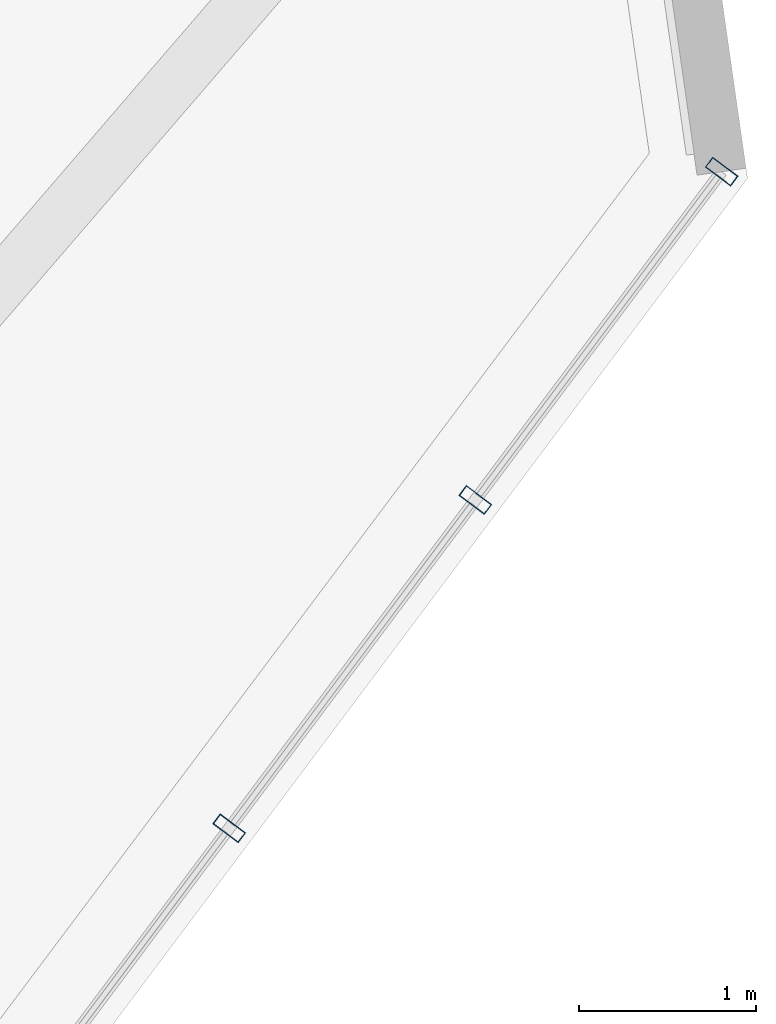
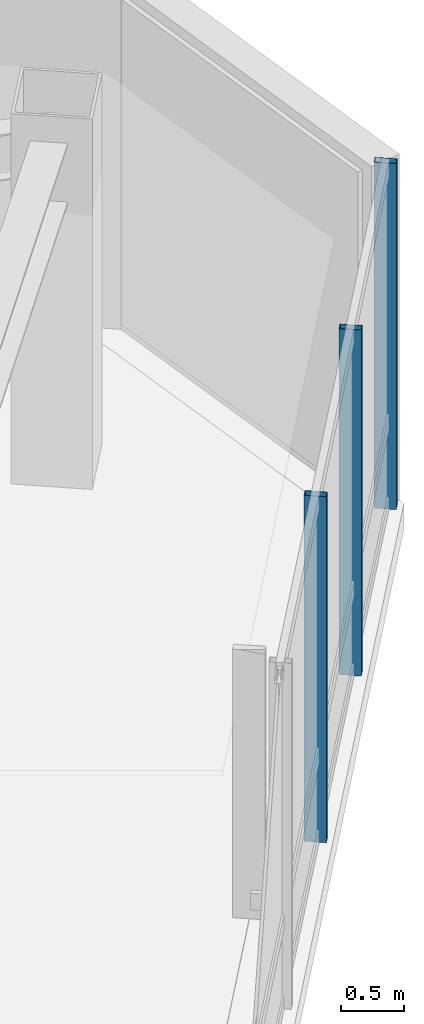
# One storey, part 10 of 18: 3 members, 1 element without a shape of its own.
"""IFC4 building model written with IfcOpenShell, lengths in metres."""

from ifc_helpers import new_model, si_unit, direction, frame, origin, origin_2d, place, context, subcontext, project, spatial, hollow_rectangle, extrude, material, layer, layer_set, material_profile, profile_set, type_object, element, aggregate, save


model = new_model("IFC4")

# Units and contexts
model_context = context("Model", 3, precision=1e-05, world=origin(), true_north=direction((0.0, 1.0)))
body_context = subcontext(model_context, "Body", "Model", "MODEL_VIEW")
ifc_project = project(units=[si_unit("LENGTHUNIT", "METRE"), si_unit("AREAUNIT", "SQUARE_METRE"), si_unit("VOLUMEUNIT", "CUBIC_METRE"), si_unit("PLANEANGLEUNIT", "RADIAN"), si_unit("MASSUNIT", "GRAM", prefix="KILO")], contexts=[model_context])

# Site, building, storey
site_placement = place(None, origin())
site = spatial("IfcSite", under=ifc_project, at=site_placement, CompositionType="ELEMENT")
building_placement = place(site_placement, origin())
building = spatial("IfcBuilding", under=site, at=building_placement, Name="Hatsunagi Terrace Concourse", CompositionType="ELEMENT")
storey_placement = place(building_placement, frame((0.0, 0.0, 250.35009765625)))
storey = spatial("IfcBuildingStorey", under=building, at=storey_placement, Name="L66", CompositionType="ELEMENT", Elevation=250.35009765625)

# Curtain wall, members
ifc_material_1 = material(Name="Anodised Aluminium Alloy 6063-T5", Category="aluminium")
ifc_layer = layer(ifc_material_1, 0.199951171875)
ifc_layer_set = layer_set([ifc_layer], Name="OfficeZone2_CW04")
curtain_wall_type = type_object("IfcCurtainWallType", Name="OfficeZone2_CW04", PredefinedType="NOTDEFINED", material=ifc_layer_set)
curtain_wall_placement = place(storey_placement, origin())
curtain_wall = element("IfcCurtainWall", 1, at=curtain_wall_placement, inside=storey, type_object=curtain_wall_type, Name="Unitised Curtain Wall CW-04 CW-L66-03", PredefinedType="NOTDEFINED")
ifc_material_2 = material(Name="Anodised Aluminium Alloy 6063-T5", Category="aluminium")
ifc_material_profile = material_profile(ifc_material_2, hollow_rectangle(XDim=0.070068359375, YDim=0.179931640625, WallThickness=0.00390625, at=origin_2d()), Name="ALU-MUL-180x70x4")
ifc_profile_set = profile_set([ifc_material_profile], Name="Anodised Aluminium Alloy 6063-T5")
member_type = type_object("IfcMemberType", Name="CurtainWallMullion_180x70", PredefinedType="MULLION", material=ifc_profile_set)
member_1_placement = place(storey_placement, frame((53.492919921875, 31.35791015625, 0.0), z_axis=(0.0, 0.0, 1.0), x_axis=(-0.599969314634, -0.800023013105, 0.0)))
member_1 = element("IfcMember", 2, at=member_1_placement, type_object=member_type, Name="Curtain Wall Mullion MUL-02", PredefinedType="MULLION", context=body_context, shape_type="SweptSolid", body=[
    extrude(hollow_rectangle(XDim=0.070068359375, YDim=0.179931640625, WallThickness=0.00390625, at=origin_2d()), origin(), (0.0, 0.0, 1.0), 3.349853515625),
])
member_2_placement = place(storey_placement, frame((52.10107421875, 29.501953125, 0.0), z_axis=(0.0, 0.0, 1.0), x_axis=(-0.599969314634, -0.800023013105, 0.0)))
member_2 = element("IfcMember", 3, at=member_2_placement, type_object=member_type, Name="Curtain Wall Mullion MUL-02", PredefinedType="MULLION", context=body_context, shape_type="SweptSolid", body=[
    extrude(hollow_rectangle(XDim=0.070068359375, YDim=0.179931640625, WallThickness=0.00390625, at=origin_2d()), origin(), (0.0, 0.0, 1.0), 3.349853515625),
])
member_3_placement = place(storey_placement, frame((50.708984375, 27.64501953125, 0.0), z_axis=(0.0, 0.0, 1.0), x_axis=(-0.599969314634, -0.800023013105, 0.0)))
member_3 = element("IfcMember", 4, at=member_3_placement, type_object=member_type, Name="Curtain Wall Mullion MUL-02", PredefinedType="MULLION", context=body_context, shape_type="SweptSolid", body=[
    extrude(hollow_rectangle(XDim=0.070068359375, YDim=0.179931640625, WallThickness=0.00390625, at=origin_2d()), origin(), (0.0, 0.0, 1.0), 3.349853515625),
])
aggregate(curtain_wall, [member_1, member_2, member_3])

save(model, "model.ifc")
